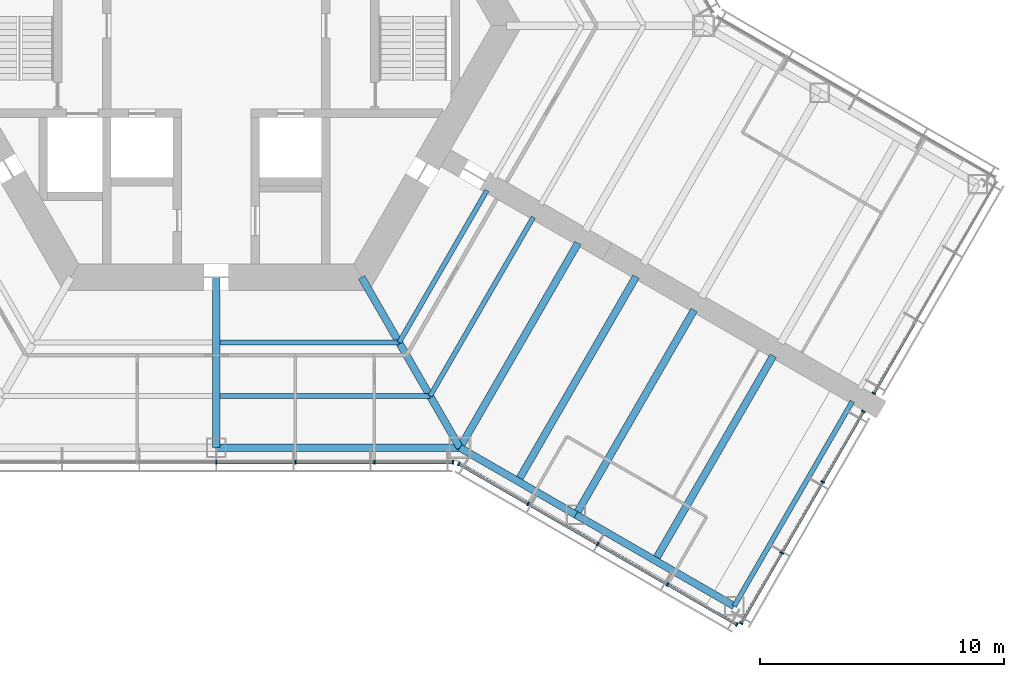
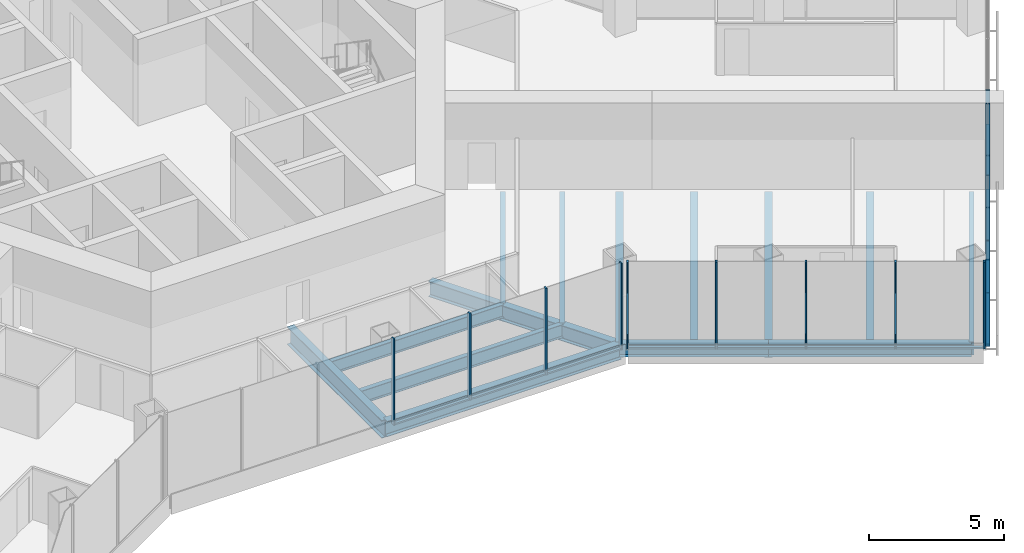
# One storey, part 5 of 18: 25 members, 14 beams, 4 elements without a shape of their own.
"""IFC4 building model written with IfcOpenShell, lengths in metres."""

import ifcopenshell
import ifcopenshell.guid

model = None  # the IFC model being written
_history = None  # IfcOwnerHistory: only IFC2X3 demands one
_inside = {}  # id of a spatial element -> (the spatial element, [elements in it])
_under = {}  # id of a project, library or spatial element -> (it, [spatial elements below it])
_declared = {}  # id of a project -> (the project, [libraries it declares])
_typed = {}  # id of a type object -> (the type object, [elements of that type])
_made_of = {}  # id of a material, layer set ... -> (it, [elements and type objects made of it])


def new_model(schema):
    """Start an empty IFC model of exactly this schema.

    Asked for "IFC4X3", IfcOpenShell would pick the latest addendum, in which some entities
    have other attributes; the version numbers below select the first issue.
    IFC2X3 requires an IfcOwnerHistory on every rooted entity: one is made here for all.
    """
    global model, _history
    if schema == "IFC4X3":
        model = ifcopenshell.file(schema_version=(4, 3, 0, 0))
    else:
        model = ifcopenshell.file(schema=schema)
    _inside.clear()
    _under.clear()
    _declared.clear()
    _typed.clear()
    _made_of.clear()
    _history = None
    if model.schema == "IFC2X3":
        org = make("IfcOrganization", Name="unknown")
        user = make(
            "IfcPersonAndOrganization",
            ThePerson=make("IfcPerson", FamilyName="unknown"),
            TheOrganization=org,
        )
        app = make(
            "IfcApplication",
            ApplicationDeveloper=org,
            Version="unknown",
            ApplicationFullName="unknown",
            ApplicationIdentifier="unknown",
        )
        _history = make(
            "IfcOwnerHistory",
            OwningUser=user,
            OwningApplication=app,
            ChangeAction="ADDED",
            CreationDate=0,
        )
    return model


def make(cls, **values):
    """One entity of the class cls with the attributes given. An attribute that is None is left unset."""
    return model.create_entity(
        cls, **{name: value for name, value in values.items() if value is not None}
    )


def rooted(cls, **values):
    """An entity with a GlobalId (a new one), such as an element, a storey or a relation."""
    return make(cls, GlobalId=ifcopenshell.guid.new(), OwnerHistory=_history, **values)


def si_unit(unit_type, name, prefix=None):
    """IfcSIUnit, for example si_unit("LENGTHUNIT", "METRE", prefix="MILLI")."""
    return make("IfcSIUnit", UnitType=unit_type, Prefix=prefix, Name=name)


def assignment(units):
    """IfcUnitAssignment: the units of a project."""
    return None if units is None else make("IfcUnitAssignment", Units=units)


def point(xyz):
    """IfcCartesianPoint."""
    return None if xyz is None else make("IfcCartesianPoint", Coordinates=xyz)


def direction(xyz):
    """IfcDirection."""
    return None if xyz is None else make("IfcDirection", DirectionRatios=xyz)


def frame(location, z_axis=None, x_axis=None):
    """IfcAxis2Placement3D, a coordinate frame: its origin and axes. An axis left out is left unset."""
    return make(
        "IfcAxis2Placement3D",
        Location=point(location),
        Axis=direction(z_axis),
        RefDirection=direction(x_axis),
    )


def frame_2d(location, x_axis=None):
    """IfcAxis2Placement2D, a coordinate frame in the plane: its origin and x axis."""
    return make(
        "IfcAxis2Placement2D", Location=point(location), RefDirection=direction(x_axis)
    )


def origin():
    """The frame at (0, 0, 0) with its axes left unset."""
    return frame((0.0, 0.0, 0.0))


def origin_2d():
    """The frame at (0, 0) in the plane with its x axis left unset."""
    return frame_2d((0.0, 0.0))


def place(relative_to, where):
    """IfcLocalPlacement: puts the frame where relative to a parent placement (None: the world)."""
    return make(
        "IfcLocalPlacement", PlacementRelTo=relative_to, RelativePlacement=where
    )


def context(
    kind, dimensions, precision=None, world=None, true_north=None, identifier=None
):
    """IfcGeometricRepresentationContext, for example the 3D "Model" context."""
    return make(
        "IfcGeometricRepresentationContext",
        ContextIdentifier=identifier,
        ContextType=kind,
        CoordinateSpaceDimension=dimensions,
        Precision=precision,
        WorldCoordinateSystem=world,
        TrueNorth=true_north,
    )


def subcontext(parent, identifier, kind, view, scale=None):
    """IfcGeometricRepresentationSubContext, for example "Body" below "Model"."""
    return make(
        "IfcGeometricRepresentationSubContext",
        ContextIdentifier=identifier,
        ContextType=kind,
        ParentContext=parent,
        TargetScale=scale,
        TargetView=view,
    )


def project(units=None, contexts=None):
    """IfcProject with its units and contexts."""
    return rooted(
        "IfcProject",
        Name="project",
        RepresentationContexts=contexts,
        UnitsInContext=assignment(units),
    )


def spatial(cls, under=None, at=None, **own):
    """A site, building, storey or space (cls), placed at a placement, below another one or the project."""
    s = rooted(cls, ObjectPlacement=at, **own)
    if under is not None:
        _under.setdefault(under.id(), (under, []))[1].append(s)
    return s


def profile(cls, at=None, kind="AREA", **sizes):
    """A parametric profile (cls). Its sizes go by their IFC names, for example OverallWidth=200.0."""
    return make(cls, ProfileType=kind, Position=at, **sizes)


def rectangle(**sizes):
    """IfcRectangleProfileDef."""
    return profile("IfcRectangleProfileDef", **sizes)


def i_section(**sizes):
    """IfcIShapeProfileDef."""
    return profile("IfcIShapeProfileDef", **sizes)


def extrude(swept, where, along, depth):
    """IfcExtrudedAreaSolid: the profile swept, set in the frame where, extruded along a direction by depth."""
    return make(
        "IfcExtrudedAreaSolid",
        SweptArea=swept,
        Position=where,
        ExtrudedDirection=direction(along),
        Depth=depth,
    )


def shape(context_of_items, identifier, shape_type, items):
    """IfcShapeRepresentation: the items that make up one representation, for example the "Body"."""
    return make(
        "IfcShapeRepresentation",
        ContextOfItems=context_of_items,
        RepresentationIdentifier=identifier,
        RepresentationType=shape_type,
        Items=items,
    )


def material(Name=None, Category=None):
    """IfcMaterial."""
    return make("IfcMaterial", Name=Name, Category=Category)


def material_profile(
    of_material, cross_section, Name=None, Category=None, Priority=None
):
    """IfcMaterialProfile: a cross section and its material."""
    return make(
        "IfcMaterialProfile",
        Name=Name,
        Material=of_material,
        Profile=cross_section,
        Priority=Priority,
        Category=Category,
    )


def profile_set(profiles, Name=None, composite=None):
    """IfcMaterialProfileSet."""
    return make(
        "IfcMaterialProfileSet",
        Name=Name,
        MaterialProfiles=profiles,
        CompositeProfile=composite,
    )


def made_of(thing, what):
    """Note that an element or type object is made of a material, layer set ...; save() writes the relation."""
    if what is not None:
        _made_of.setdefault(what.id(), (what, []))[1].append(thing)
    return thing


def type_object(cls, material=None, **own):
    """A type object (cls), such as IfcWallType, which elements share."""
    return made_of(rooted(cls, **own), material)


def element(
    cls,
    number,
    at=None,
    inside=None,
    cuts=None,
    type_object=None,
    material=None,
    context=None,
    identifier="Body",
    shape_type=None,
    held_by="IfcProductDefinitionShape",
    body=None,
    shapes=None,
    **own,
):
    """One element of the class cls, such as IfcWall. Its Tag is "e" and its number.

    at: its placement. inside: the storey or other place that contains it. cuts: it is an
    opening in that element (IfcRelVoidsElement). A single representation is given by context,
    identifier, shape_type and body (its items); several are given by shapes. held_by: the class
    of the entity that holds the representations. save() writes the other relations.
    """
    e = rooted(cls, Tag="e%d" % number, ObjectPlacement=at, **own)
    if body is not None:
        shapes = [shape(context, identifier, shape_type, body)]
    if shapes is not None:
        e.Representation = make(held_by, Representations=shapes)
    if inside is not None:
        _inside.setdefault(inside.id(), (inside, []))[1].append(e)
    if cuts is not None:
        rooted(
            "IfcRelVoidsElement", RelatingBuildingElement=cuts, RelatedOpeningElement=e
        )
    if type_object is not None:
        _typed.setdefault(type_object.id(), (type_object, []))[1].append(e)
    return made_of(e, material)


def aggregate(whole, parts):
    """IfcRelAggregates: a whole, such as a stair, and the parts it consists of."""
    return rooted("IfcRelAggregates", RelatingObject=whole, RelatedObjects=parts)


def save(model, path):
    """Write the relations noted so far, then the file.

    IfcRelAggregates (storeys below a building ...), IfcRelContainedInSpatialStructure (elements
    in a storey), IfcRelDefinesByType, IfcRelAssociatesMaterial and IfcRelDeclares: one each for
    every whole, place, type object, material and project.
    """
    for whole, parts in _under.values():
        aggregate(whole, parts)
    for where, things in _inside.values():
        rooted(
            "IfcRelContainedInSpatialStructure",
            RelatedElements=things,
            RelatingStructure=where,
        )
    for kind, things in _typed.values():
        rooted("IfcRelDefinesByType", RelatedObjects=things, RelatingType=kind)
    for what, things in _made_of.values():
        rooted("IfcRelAssociatesMaterial", RelatedObjects=things, RelatingMaterial=what)
    for by, libraries in _declared.values():
        rooted("IfcRelDeclares", RelatingContext=by, RelatedDefinitions=libraries)
    model.write(path)


model = new_model("IFC4")

# Units and contexts
model_context = context("Model", 3, precision=1e-05, world=origin(), true_north=direction((0.0, 1.0)))
body_context = subcontext(model_context, "Body", "Model", "MODEL_VIEW")
ifc_project = project(units=[si_unit("LENGTHUNIT", "METRE"), si_unit("AREAUNIT", "SQUARE_METRE"), si_unit("VOLUMEUNIT", "CUBIC_METRE"), si_unit("PLANEANGLEUNIT", "RADIAN"), si_unit("MASSUNIT", "GRAM", prefix="KILO")], contexts=[model_context])

# Site, building, storey
site_placement = place(None, origin())
site = spatial("IfcSite", under=ifc_project, at=site_placement, CompositionType="ELEMENT")
building_placement = place(site_placement, origin())
building = spatial("IfcBuilding", under=site, at=building_placement, Name="Kasaneha Research Tower", CompositionType="ELEMENT")
storey_placement = place(building_placement, frame((0.0, 0.0, 119.699951171875)))
storey = spatial("IfcBuildingStorey", under=building, at=storey_placement, Name="L30", CompositionType="ELEMENT", Elevation=119.699951171875)

# Beams
ifc_material_1 = material(Name="Steel SN490B", Category="steel")
ifc_material_profile_1 = material_profile(ifc_material_1, i_section(OverallWidth=0.199951171875, OverallDepth=0.60009765625, WebThickness=0.010986328125, FlangeThickness=0.01708984375, FilletRadius=0.012939453125, at=origin_2d()), Name="H-600x200x11x17")
ifc_profile_set_1 = profile_set([ifc_material_profile_1], Name="Steel SN490B")
beam_type_1 = type_object("IfcBeamType", Name="B1-3 secondary beam H-600x200x11x17", PredefinedType="JOIST", material=ifc_profile_set_1)
beam_1_placement = place(storey_placement, frame((7.505615234375, -13.0, -0.449951171875), z_axis=(-1.0, 0.0, 0.0), x_axis=(0.0, -1.0, 0.0)))
element("IfcBeam", 1, at=beam_1_placement, inside=storey, type_object=beam_type_1, Name="Secondary beam RS270R1 L30", PredefinedType="JOIST", context=body_context, shape_type="SweptSolid", body=[
    extrude(i_section(OverallWidth=0.199951171875, OverallDepth=0.60009765625, WebThickness=0.010986328125, FlangeThickness=0.01708984375, FilletRadius=0.012939453125, at=origin_2d()), origin(), (0.0, 0.0, 1.0), 7.355712890625),
])
beam_2_placement = place(storey_placement, frame((8.775634765625, -15.199951171875, -0.449951171875), z_axis=(-1.0, 0.0, 0.0), x_axis=(0.0, -1.0, 0.0)))
element("IfcBeam", 2, at=beam_2_placement, inside=storey, type_object=beam_type_1, Name="Secondary beam RS270R2 L30", PredefinedType="JOIST", context=body_context, shape_type="SweptSolid", body=[
    extrude(i_section(OverallWidth=0.199951171875, OverallDepth=0.60009765625, WebThickness=0.010986328125, FlangeThickness=0.01708984375, FilletRadius=0.012939453125, at=origin_2d()), origin(), (0.0, 0.0, 1.0), 8.625732421875),
])
beam_3_placement = place(storey_placement, frame((7.505615234375, -13.0, -0.449951171875), z_axis=(0.499998147991, 0.86602647304, 0.0), x_axis=(-0.86602647304, 0.499998147991, 0.0)))
element("IfcBeam", 3, at=beam_3_placement, inside=storey, type_object=beam_type_1, Name="Secondary beam RS330L1 L30", PredefinedType="JOIST", context=body_context, shape_type="SweptSolid", body=[
    extrude(i_section(OverallWidth=0.199951171875, OverallDepth=0.60009765625, WebThickness=0.010986328125, FlangeThickness=0.01708984375, FilletRadius=0.012939453125, at=origin_2d()), origin(), (0.0, 0.0, 1.0), 7.20556640625),
])
beam_4_placement = place(storey_placement, frame((8.775634765625, -15.199951171875, -0.449951171875), z_axis=(0.500020829043, 0.866013377797, 0.0), x_axis=(-0.866013377797, 0.500020829043, 0.0)))
element("IfcBeam", 4, at=beam_4_placement, inside=storey, type_object=beam_type_1, Name="Secondary beam RS330L2 L30", PredefinedType="JOIST", context=body_context, shape_type="SweptSolid", body=[
    extrude(i_section(OverallWidth=0.199951171875, OverallDepth=0.60009765625, WebThickness=0.010986328125, FlangeThickness=0.01708984375, FilletRadius=0.012939453125, at=origin_2d()), origin(), (0.0, 0.0, 1.0), 8.475830078125),
])
ifc_material_2 = material(Name="Steel SN490B", Category="steel")
ifc_material_profile_2 = material_profile(ifc_material_2, i_section(OverallWidth=0.300048828125, OverallDepth=0.58203125, WebThickness=0.011962890625, FlangeThickness=0.01708984375, FilletRadius=0.012939453125, at=origin_2d()), Name="H-582x300x12x17")
ifc_profile_set_2 = profile_set([ifc_material_profile_2], Name="Steel SN490B")
beam_type_2 = type_object("IfcBeamType", Name="B2-3 secondary beam H-582x300x12x17", PredefinedType="JOIST", material=ifc_profile_set_2)
for number, where, z_axis, x_axis, name in (
    (5, (12.381591796875, -18.695556640625, -0.44091796875), (0.500010041276, 0.866019606374, 0.0), (-0.866019606374, 0.500010041276, 0.0), "Secondary beam WBCP1 L30"),
    (6, (18.0107421875, -21.945556640625, -0.44091796875), (0.500010041276, 0.866019606374, 0.0), (-0.866019606374, 0.500010041276, 0.0), "Secondary beam WBCP2 L30"),
):
    element("IfcBeam", number, at=place(storey_placement, frame(where, z_axis=z_axis, x_axis=x_axis)), inside=storey, type_object=beam_type_2, Name=name, PredefinedType="JOIST", context=body_context, shape_type="SweptSolid", body=[
        extrude(i_section(OverallWidth=0.300048828125, OverallDepth=0.58203125, WebThickness=0.011962890625, FlangeThickness=0.01708984375, FilletRadius=0.012939453125, at=origin_2d()), origin(), (0.0, 0.0, 1.0), 9.699951171875),
    ])

# Curtain wall, members
ifc_material_3 = material(Name="Glass and aluminium", Category="aluminium")
curtain_wall_type = type_object("IfcCurtainWallType", Name="Low-rise office curtain wall", PredefinedType="USERDEFINED", material=ifc_material_3)
curtain_wall_1_placement = place(storey_placement, origin())
curtain_wall_1 = element("IfcCurtainWall", 7, at=curtain_wall_1_placement, inside=storey, type_object=curtain_wall_type, Name="CW-O1 L30 run 02a", ObjectType="UNITISED CURTAIN WALL", PredefinedType="USERDEFINED")
ifc_material_4 = material(Name="Aluminium 6063-T6", Category="aluminium")
ifc_material_profile_3 = material_profile(ifc_material_4, rectangle(XDim=0.06005859375, YDim=0.159912109375, at=origin_2d()), Name="CW-O1 mullion 60x160")
ifc_profile_set_3 = profile_set([ifc_material_profile_3], Name="Aluminium 6063-T6")
member_type_1 = type_object("IfcMemberType", Name="CW-O1 mullion", PredefinedType="MULLION", material=ifc_profile_set_3)
member_1_placement = place(storey_placement, frame((0.0, -17.92041015625, 0.0), z_axis=(0.0, 0.0, 1.0), x_axis=(1.0, 0.0, 0.0)))
member_1 = element("IfcMember", 8, at=member_1_placement, type_object=member_type_1, Name="CW-O1 mullion 4", PredefinedType="MULLION", context=body_context, shape_type="SweptSolid", body=[
    extrude(rectangle(XDim=0.06005859375, YDim=0.159912109375, at=origin_2d()), origin(), (0.0, 0.0, 1.0), 3.900146484375),
])
member_2_placement = place(storey_placement, frame((3.246337890625, -17.92041015625, 0.0), z_axis=(0.0, 0.0, 1.0), x_axis=(1.0, 0.0, 0.0)))
member_2 = element("IfcMember", 9, at=member_2_placement, type_object=member_type_1, Name="CW-O1 mullion 5", PredefinedType="MULLION", context=body_context, shape_type="SweptSolid", body=[
    extrude(rectangle(XDim=0.06005859375, YDim=0.159912109375, at=origin_2d()), origin(), (0.0, 0.0, 1.0), 3.900146484375),
])
member_3_placement = place(storey_placement, frame((6.492919921875, -17.92041015625, 0.0), z_axis=(0.0, 0.0, 1.0), x_axis=(1.0, 0.0, 0.0)))
member_3 = element("IfcMember", 10, at=member_3_placement, type_object=member_type_1, Name="CW-O1 mullion 6", PredefinedType="MULLION", context=body_context, shape_type="SweptSolid", body=[
    extrude(rectangle(XDim=0.06005859375, YDim=0.159912109375, at=origin_2d()), origin(), (0.0, 0.0, 1.0), 3.900146484375),
])
member_4_placement = place(storey_placement, frame((9.709228515625, -17.92041015625, 0.0), z_axis=(0.0, 0.0, 1.0), x_axis=(1.0, 0.0, 0.0)))
member_4 = element("IfcMember", 11, at=member_4_placement, type_object=member_type_1, Name="CW-O1 mullion 7", PredefinedType="MULLION", context=body_context, shape_type="SweptSolid", body=[
    extrude(rectangle(XDim=0.06005859375, YDim=0.159912109375, at=origin_2d()), origin(), (0.0, 0.0, 1.0), 3.900146484375),
])

curtain_wall_2_placement = place(storey_placement, origin())
curtain_wall_2 = element("IfcCurtainWall", 12, at=curtain_wall_2_placement, inside=storey, type_object=curtain_wall_type, Name="CW-O1 L30 run 03a", ObjectType="UNITISED CURTAIN WALL", PredefinedType="USERDEFINED")
member_5_placement = place(storey_placement, frame((9.951904296875, -17.985595703125, 0.0), z_axis=(0.0, 0.0, 1.0), x_axis=(0.866025411464, -0.499999986699, 0.0)))
member_5 = element("IfcMember", 13, at=member_5_placement, type_object=member_type_1, Name="CW-O1 mullion 1", PredefinedType="MULLION", context=body_context, shape_type="SweptSolid", body=[
    extrude(rectangle(XDim=0.06005859375, YDim=0.159912109375, at=origin_2d()), origin(), (0.0, 0.0, 1.0), 3.900146484375),
])
member_6_placement = place(storey_placement, frame((12.792236328125, -19.62548828125, 0.0), z_axis=(0.0, 0.0, 1.0), x_axis=(0.866025411464, -0.499999986699, 0.0)))
member_6 = element("IfcMember", 14, at=member_6_placement, type_object=member_type_1, Name="CW-O1 mullion 2", PredefinedType="MULLION", context=body_context, shape_type="SweptSolid", body=[
    extrude(rectangle(XDim=0.06005859375, YDim=0.159912109375, at=origin_2d()), origin(), (0.0, 0.0, 1.0), 3.900146484375),
])
member_7_placement = place(storey_placement, frame((15.65869140625, -21.2802734375, 0.0), z_axis=(0.0, 0.0, 1.0), x_axis=(0.866025411464, -0.499999986699, 0.0)))
member_7 = element("IfcMember", 15, at=member_7_placement, type_object=member_type_1, Name="CW-O1 mullion 3", PredefinedType="MULLION", context=body_context, shape_type="SweptSolid", body=[
    extrude(rectangle(XDim=0.06005859375, YDim=0.159912109375, at=origin_2d()), origin(), (0.0, 0.0, 1.0), 3.900146484375),
])
member_8_placement = place(storey_placement, frame((18.52490234375, -22.935302734375, 0.0), z_axis=(0.0, 0.0, 1.0), x_axis=(0.866025411464, -0.499999986699, 0.0)))
member_8 = element("IfcMember", 16, at=member_8_placement, type_object=member_type_1, Name="CW-O1 mullion 4", PredefinedType="MULLION", context=body_context, shape_type="SweptSolid", body=[
    extrude(rectangle(XDim=0.06005859375, YDim=0.159912109375, at=origin_2d()), origin(), (0.0, 0.0, 1.0), 3.900146484375),
])
member_9_placement = place(storey_placement, frame((21.365478515625, -24.5751953125, 0.0), z_axis=(0.0, 0.0, 1.0), x_axis=(0.866025411464, -0.499999986699, 0.0)))
member_9 = element("IfcMember", 17, at=member_9_placement, type_object=member_type_1, Name="CW-O1 mullion 5", PredefinedType="MULLION", context=body_context, shape_type="SweptSolid", body=[
    extrude(rectangle(XDim=0.06005859375, YDim=0.159912109375, at=origin_2d()), origin(), (0.0, 0.0, 1.0), 3.900146484375),
])

curtain_wall_3_placement = place(storey_placement, origin())
curtain_wall_3 = element("IfcCurtainWall", 18, at=curtain_wall_3_placement, inside=storey, type_object=curtain_wall_type, Name="CW-O1 L30 run 04a", ObjectType="UNITISED CURTAIN WALL", PredefinedType="USERDEFINED")
member_10_placement = place(storey_placement, frame((21.54296875, -24.527587890625, 0.0), z_axis=(0.0, 0.0, 1.0), x_axis=(0.500000011442, 0.866025397178, 0.0)))
member_10 = element("IfcMember", 19, at=member_10_placement, type_object=member_type_1, Name="CW-O1 mullion 1", PredefinedType="MULLION", context=body_context, shape_type="SweptSolid", body=[
    extrude(rectangle(XDim=0.06005859375, YDim=0.159912109375, at=origin_2d()), origin(), (0.0, 0.0, 1.0), 3.900146484375),
])
member_11_placement = place(storey_placement, frame((23.211181640625, -21.637939453125, 0.0), z_axis=(0.0, 0.0, 1.0), x_axis=(0.500000011442, 0.866025397178, 0.0)))
member_11 = element("IfcMember", 20, at=member_11_placement, type_object=member_type_1, Name="CW-O1 mullion 2", PredefinedType="MULLION", context=body_context, shape_type="SweptSolid", body=[
    extrude(rectangle(XDim=0.06005859375, YDim=0.159912109375, at=origin_2d()), origin(), (0.0, 0.0, 1.0), 3.900146484375),
])
member_12_placement = place(storey_placement, frame((24.89453125, -18.72216796875, 0.0), z_axis=(0.0, 0.0, 1.0), x_axis=(0.500000011442, 0.866025397178, 0.0)))
member_12 = element("IfcMember", 21, at=member_12_placement, type_object=member_type_1, Name="CW-O1 mullion 3", PredefinedType="MULLION", context=body_context, shape_type="SweptSolid", body=[
    extrude(rectangle(XDim=0.06005859375, YDim=0.159912109375, at=origin_2d()), origin(), (0.0, 0.0, 1.0), 3.900146484375),
])
member_13_placement = place(storey_placement, frame((26.56298828125, -15.832763671875, 0.0), z_axis=(0.0, 0.0, 1.0), x_axis=(0.500000011442, 0.866025397178, 0.0)))
member_13 = element("IfcMember", 22, at=member_13_placement, type_object=member_type_1, Name="CW-O1 mullion 4", PredefinedType="MULLION", context=body_context, shape_type="SweptSolid", body=[
    extrude(rectangle(XDim=0.06005859375, YDim=0.159912109375, at=origin_2d()), origin(), (0.0, 0.0, 1.0), 3.900146484375),
])

# Curtain wall, member
curtain_wall_4_placement = place(storey_placement, origin())
curtain_wall_4 = element("IfcCurtainWall", 23, at=curtain_wall_4_placement, inside=storey, type_object=curtain_wall_type, Name="CW-O1 L30 run 05a", ObjectType="UNITISED CURTAIN WALL", PredefinedType="USERDEFINED")
member_14_placement = place(storey_placement, frame((26.992919921875, -15.087890625, 0.0), z_axis=(0.0, 0.0, 1.0), x_axis=(0.500000011442, 0.866025397178, 0.0)))
member_14 = element("IfcMember", 24, at=member_14_placement, type_object=member_type_1, Name="CW-O1 mullion 1", PredefinedType="MULLION", context=body_context, shape_type="SweptSolid", body=[
    extrude(rectangle(XDim=0.06005859375, YDim=0.159912109375, at=origin_2d()), origin(), (0.0, 0.0, 1.0), 3.900146484375),
])

# Member
ifc_material_5 = material(Name="Aluminium 6063-T6", Category="aluminium")
ifc_material_profile_4 = material_profile(ifc_material_5, rectangle(XDim=0.1201171875, YDim=0.06005859375, at=origin_2d()), Name="CW-O1 transom 120x60")
ifc_profile_set_4 = profile_set([ifc_material_profile_4], Name="Aluminium 6063-T6")
member_type_2 = type_object("IfcMemberType", Name="CW-O1 transom", PredefinedType="USERDEFINED", material=ifc_profile_set_4)
member_15_placement = place(storey_placement, frame((0.030029296875, -17.92041015625, 0.030029296875), z_axis=(1.0, 0.0, 0.0), x_axis=(0.0, 1.0, 0.0)))
member_15 = element("IfcMember", 25, at=member_15_placement, type_object=member_type_2, Name="CW-O1 transom 4", ObjectType="TRANSOM", PredefinedType="USERDEFINED", context=body_context, shape_type="SweptSolid", body=[
    extrude(rectangle(XDim=0.1201171875, YDim=0.06005859375, at=origin_2d()), origin(), (0.0, 0.0, 1.0), 3.186279296875),
])

member_16_placement = place(storey_placement, frame((3.2763671875, -17.92041015625, 0.030029296875), z_axis=(1.0, 0.0, 0.0), x_axis=(0.0, 1.0, 0.0)))
member_16 = element("IfcMember", 26, at=member_16_placement, type_object=member_type_2, Name="CW-O1 transom 5", ObjectType="TRANSOM", PredefinedType="USERDEFINED", context=body_context, shape_type="SweptSolid", body=[
    extrude(rectangle(XDim=0.1201171875, YDim=0.06005859375, at=origin_2d()), origin(), (0.0, 0.0, 1.0), 3.1865234375),
])

member_17_placement = place(storey_placement, frame((6.522705078125, -17.92041015625, 0.030029296875), z_axis=(1.0, 0.0, 0.0), x_axis=(0.0, 1.0, 0.0)))
member_17 = element("IfcMember", 27, at=member_17_placement, type_object=member_type_2, Name="CW-O1 transom 6", ObjectType="TRANSOM", PredefinedType="USERDEFINED", context=body_context, shape_type="SweptSolid", body=[
    extrude(rectangle(XDim=0.1201171875, YDim=0.06005859375, at=origin_2d()), origin(), (0.0, 0.0, 1.0), 3.156494140625),
])

aggregate(curtain_wall_1, [member_1, member_2, member_3, member_4, member_15, member_16, member_17])

member_18_placement = place(storey_placement, frame((9.977783203125, -18.00048828125, 0.030029296875), z_axis=(0.866022692473, -0.500004696101, 0.0), x_axis=(0.500004696101, 0.866022692473, 0.0)))
member_18 = element("IfcMember", 28, at=member_18_placement, type_object=member_type_2, Name="CW-O1 transom 1", ObjectType="TRANSOM", PredefinedType="USERDEFINED", context=body_context, shape_type="SweptSolid", body=[
    extrude(rectangle(XDim=0.1201171875, YDim=0.06005859375, at=origin_2d()), origin(), (0.0, 0.0, 1.0), 3.2197265625),
])

member_19_placement = place(storey_placement, frame((12.818115234375, -19.640380859375, 0.030029296875), z_axis=(0.866015446554, -0.500017246033, 0.0), x_axis=(0.500017246033, 0.866015446554, 0.0)))
member_19 = element("IfcMember", 29, at=member_19_placement, type_object=member_type_2, Name="CW-O1 transom 2", ObjectType="TRANSOM", PredefinedType="USERDEFINED", context=body_context, shape_type="SweptSolid", body=[
    extrude(rectangle(XDim=0.1201171875, YDim=0.06005859375, at=origin_2d()), origin(), (0.0, 0.0, 1.0), 3.25),
])

member_20_placement = place(storey_placement, frame((15.6845703125, -21.29541015625, 0.030029296875), z_axis=(0.86604797581, -0.499960902066, 0.0), x_axis=(0.499960902066, 0.86604797581, 0.0)))
member_20 = element("IfcMember", 30, at=member_20_placement, type_object=member_type_2, Name="CW-O1 transom 3", ObjectType="TRANSOM", PredefinedType="USERDEFINED", context=body_context, shape_type="SweptSolid", body=[
    extrude(rectangle(XDim=0.1201171875, YDim=0.06005859375, at=origin_2d()), origin(), (0.0, 0.0, 1.0), 3.249755859375),
])

member_21_placement = place(storey_placement, frame((18.551025390625, -22.9501953125, 0.030029296875), z_axis=(0.866022692473, -0.500004696101, 0.0), x_axis=(0.500004696101, 0.866022692473, 0.0)))
member_21 = element("IfcMember", 31, at=member_21_placement, type_object=member_type_2, Name="CW-O1 transom 4", ObjectType="TRANSOM", PredefinedType="USERDEFINED", context=body_context, shape_type="SweptSolid", body=[
    extrude(rectangle(XDim=0.1201171875, YDim=0.06005859375, at=origin_2d()), origin(), (0.0, 0.0, 1.0), 3.2197265625),
])

aggregate(curtain_wall_2, [member_5, member_6, member_7, member_8, member_9, member_18, member_19, member_20, member_21])

member_22_placement = place(storey_placement, frame((21.557861328125, -24.50146484375, 0.030029296875), z_axis=(0.500025583411, 0.866010632691, 0.0), x_axis=(-0.866010632691, 0.500025583411, 0.0)))
member_22 = element("IfcMember", 32, at=member_22_placement, type_object=member_type_2, Name="CW-O1 transom 1", ObjectType="TRANSOM", PredefinedType="USERDEFINED", context=body_context, shape_type="SweptSolid", body=[
    extrude(rectangle(XDim=0.1201171875, YDim=0.06005859375, at=origin_2d()), origin(), (0.0, 0.0, 1.0), 3.276611328125),
])

member_23_placement = place(storey_placement, frame((23.226318359375, -21.61181640625, 0.030029296875), z_axis=(0.500014325468, 0.866017132814, 0.0), x_axis=(-0.866017132814, 0.500014325468, 0.0)))
member_23 = element("IfcMember", 33, at=member_23_placement, type_object=member_type_2, Name="CW-O1 transom 2", ObjectType="TRANSOM", PredefinedType="USERDEFINED", context=body_context, shape_type="SweptSolid", body=[
    extrude(rectangle(XDim=0.1201171875, YDim=0.06005859375, at=origin_2d()), origin(), (0.0, 0.0, 1.0), 3.306640625),
])

member_24_placement = place(storey_placement, frame((24.90966796875, -18.6962890625, 0.030029296875), z_axis=(0.499969700927, 0.866042896256, 0.0), x_axis=(-0.866042896256, 0.499969700927, 0.0)))
member_24 = element("IfcMember", 34, at=member_24_placement, type_object=member_type_2, Name="CW-O1 transom 3", ObjectType="TRANSOM", PredefinedType="USERDEFINED", context=body_context, shape_type="SweptSolid", body=[
    extrude(rectangle(XDim=0.1201171875, YDim=0.06005859375, at=origin_2d()), origin(), (0.0, 0.0, 1.0), 3.276611328125),
])

aggregate(curtain_wall_3, [member_10, member_11, member_12, member_13, member_22, member_23, member_24])

member_25_placement = place(storey_placement, frame((27.008056640625, -15.061767578125, 0.030029296875), z_axis=(0.499969700927, 0.866042896256, 0.0), x_axis=(-0.866042896256, 0.499969700927, 0.0)))
member_25 = element("IfcMember", 35, at=member_25_placement, type_object=member_type_2, Name="CW-O1 transom 1", ObjectType="TRANSOM", PredefinedType="USERDEFINED", context=body_context, shape_type="SweptSolid", body=[
    extrude(rectangle(XDim=0.1201171875, YDim=0.06005859375, at=origin_2d()), origin(), (0.0, 0.0, 1.0), 3.276611328125),
])

aggregate(curtain_wall_4, [member_14, member_25])

# Beams
ifc_material_6 = material(Name="Steel SN490B", Category="steel")
ifc_material_profile_5 = material_profile(ifc_material_6, i_section(OverallWidth=0.300048828125, OverallDepth=0.699951171875, WebThickness=0.012939453125, FlangeThickness=0.02392578125, FilletRadius=0.01806640625, at=origin_2d()), Name="H-700x300x13x24")
ifc_profile_set_5 = profile_set([ifc_material_profile_5], Name="Steel SN490B")
beam_type_3 = type_object("IfcBeamType", Name="G1-3 radial girder H-700x300x13x24", PredefinedType="BEAM", material=ifc_profile_set_5)
beam_5_placement = place(storey_placement, frame((5.961181640625, -10.324951171875, -0.5), z_axis=(0.49999105496, -0.866030568144, 0.0), x_axis=(0.866030568144, 0.49999105496, 0.0)))
element("IfcBeam", 36, at=beam_5_placement, inside=storey, type_object=beam_type_3, Name="Radial girder RV300 L30", PredefinedType="BEAM", context=body_context, shape_type="SweptSolid", body=[
    extrude(i_section(OverallWidth=0.300048828125, OverallDepth=0.699951171875, WebThickness=0.012939453125, FlangeThickness=0.02392578125, FilletRadius=0.01806640625, at=origin_2d()), origin(), (0.0, 0.0, 1.0), 8.077880859375),
])
ifc_material_7 = material(Name="Steel SN490B", Category="steel")
ifc_material_profile_6 = material_profile(ifc_material_7, i_section(OverallWidth=0.300048828125, OverallDepth=0.800048828125, WebThickness=0.013916015625, FlangeThickness=0.02587890625, FilletRadius=0.01806640625, at=origin_2d()), Name="H-800x300x14x26")
ifc_profile_set_6 = profile_set([ifc_material_profile_6], Name="Steel SN490B")
beam_type_4 = type_object("IfcBeamType", Name="G2-3 radial girder H-800x300x14x26", PredefinedType="BEAM", material=ifc_profile_set_6)
beam_6_placement = place(storey_placement, frame((0.0, -10.324951171875, -0.550048828125), z_axis=(0.0, -1.0, 0.0), x_axis=(1.0, 0.0, 0.0)))
element("IfcBeam", 37, at=beam_6_placement, inside=storey, type_object=beam_type_4, Name="Radial girder RM270 L30", PredefinedType="BEAM", context=body_context, shape_type="SweptSolid", body=[
    extrude(i_section(OverallWidth=0.300048828125, OverallDepth=0.800048828125, WebThickness=0.013916015625, FlangeThickness=0.02587890625, FilletRadius=0.01806640625, at=origin_2d()), origin(), (0.0, 0.0, 1.0), 6.99560546875),
])
ifc_material_8 = material(Name="Steel SN490B", Category="steel")
ifc_material_profile_7 = material_profile(ifc_material_8, i_section(OverallWidth=0.300048828125, OverallDepth=0.69189453125, WebThickness=0.012939453125, FlangeThickness=0.02001953125, FilletRadius=0.01806640625, at=origin_2d()), Name="H-692x300x13x20")
ifc_profile_set_7 = profile_set([ifc_material_profile_7], Name="Steel SN490B")
beam_type_5 = type_object("IfcBeamType", Name="G3-3 plate edge girder H-692x300x13x20", PredefinedType="BEAM", material=ifc_profile_set_7)
beam_7_placement = place(storey_placement, frame((10.0, -17.320556640625, -0.495849609375), z_axis=(0.500010041276, 0.866019606374, 0.0), x_axis=(-0.866019606374, 0.500010041276, 0.0)))
element("IfcBeam", 38, at=beam_7_placement, inside=storey, type_object=beam_type_5, Name="Plate edge girder PECP L30", PredefinedType="BEAM", context=body_context, shape_type="SweptSolid", body=[
    extrude(i_section(OverallWidth=0.300048828125, OverallDepth=0.69189453125, WebThickness=0.012939453125, FlangeThickness=0.02001953125, FilletRadius=0.01806640625, at=origin_2d()), origin(), (0.0, 0.0, 1.0), 9.699951171875),
])
ifc_material_9 = material(Name="Steel SN490B", Category="steel")
ifc_material_profile_8 = material_profile(ifc_material_9, i_section(OverallWidth=0.300048828125, OverallDepth=0.699951171875, WebThickness=0.012939453125, FlangeThickness=0.02392578125, FilletRadius=0.01806640625, at=origin_2d()), Name="H-700x300x13x24")
ifc_profile_set_8 = profile_set([ifc_material_profile_8], Name="Steel SN490B")
beam_type_6 = type_object("IfcBeamType", Name="G4-3 wing girder H-700x300x13x24", PredefinedType="BEAM", material=ifc_profile_set_8)
beam_8_placement = place(storey_placement, frame((14.76318359375, -20.070556640625, -0.5), z_axis=(0.499991164321, 0.866030505006, 0.0), x_axis=(-0.866030505006, 0.499991164321, 0.0)))
element("IfcBeam", 39, at=beam_8_placement, inside=storey, type_object=beam_type_6, Name="Wing girder WGCP L30", PredefinedType="BEAM", context=body_context, shape_type="SweptSolid", body=[
    extrude(i_section(OverallWidth=0.300048828125, OverallDepth=0.699951171875, WebThickness=0.012939453125, FlangeThickness=0.02392578125, FilletRadius=0.01806640625, at=origin_2d()), origin(), (0.0, 0.0, 1.0), 9.699951171875),
])
ifc_material_10 = material(Name="Steel SN490B", Category="steel")
ifc_material_profile_9 = material_profile(ifc_material_10, i_section(OverallWidth=0.300048828125, OverallDepth=0.69189453125, WebThickness=0.012939453125, FlangeThickness=0.02001953125, FilletRadius=0.01806640625, at=origin_2d()), Name="H-692x300x13x20")
ifc_profile_set_9 = profile_set([ifc_material_profile_9], Name="Steel SN490B")
beam_type_7 = type_object("IfcBeamType", Name="SB1-3 spandrel beam H-692x300x13x20", PredefinedType="SPANDREL", material=ifc_profile_set_9)
beam_9_placement = place(storey_placement, frame((10.0, -17.320556640625, -0.495849609375), z_axis=(-1.0, 0.0, 0.0), x_axis=(0.0, -1.0, 0.0)))
element("IfcBeam", 40, at=beam_9_placement, inside=storey, type_object=beam_type_7, Name="Spandrel beam SR270R L30", PredefinedType="SPANDREL", context=body_context, shape_type="SweptSolid", body=[
    extrude(i_section(OverallWidth=0.300048828125, OverallDepth=0.69189453125, WebThickness=0.012939453125, FlangeThickness=0.02001953125, FilletRadius=0.01806640625, at=origin_2d()), origin(), (0.0, 0.0, 1.0), 10.0),
])
ifc_material_11 = material(Name="Steel SN490B", Category="steel")
ifc_material_profile_10 = material_profile(ifc_material_11, i_section(OverallWidth=0.300048828125, OverallDepth=0.58203125, WebThickness=0.011962890625, FlangeThickness=0.01708984375, FilletRadius=0.012939453125, at=origin_2d()), Name="H-582x300x12x17")
ifc_profile_set_10 = profile_set([ifc_material_profile_10], Name="Steel SN490B")
beam_type_8 = type_object("IfcBeamType", Name="SB2-3 spandrel beam H-582x300x12x17", PredefinedType="SPANDREL", material=ifc_profile_set_10)
beam_10_placement = place(storey_placement, frame((10.0, -17.320556640625, -0.44091796875), z_axis=(0.866027397988, -0.499996545922, 0.0), x_axis=(0.499996545922, 0.866027397988, 0.0)))
element("IfcBeam", 41, at=beam_10_placement, inside=storey, type_object=beam_type_8, Name="Spandrel beam WSCP1 L30", PredefinedType="SPANDREL", context=body_context, shape_type="SweptSolid", body=[
    extrude(i_section(OverallWidth=0.300048828125, OverallDepth=0.58203125, WebThickness=0.011962890625, FlangeThickness=0.01708984375, FilletRadius=0.012939453125, at=origin_2d()), origin(), (0.0, 0.0, 1.0), 5.5),
])
beam_11_placement = place(storey_placement, frame((14.76318359375, -20.070556640625, -0.44091796875), z_axis=(0.866022959057, -0.500004234368, 0.0), x_axis=(0.500004234368, 0.866022959057, 0.0)))
element("IfcBeam", 42, at=beam_11_placement, inside=storey, type_object=beam_type_8, Name="Spandrel beam WSCP2 L30", PredefinedType="SPANDREL", context=body_context, shape_type="SweptSolid", body=[
    extrude(i_section(OverallWidth=0.300048828125, OverallDepth=0.58203125, WebThickness=0.011962890625, FlangeThickness=0.01708984375, FilletRadius=0.012939453125, at=origin_2d()), origin(), (0.0, 0.0, 1.0), 7.5),
])
ifc_material_12 = material(Name="Steel SN490B", Category="steel")
ifc_material_profile_11 = material_profile(ifc_material_12, i_section(OverallWidth=0.199951171875, OverallDepth=0.60009765625, WebThickness=0.010986328125, FlangeThickness=0.01708984375, FilletRadius=0.012939453125, at=origin_2d()), Name="H-600x200x11x17")
ifc_profile_set_11 = profile_set([ifc_material_profile_11], Name="Steel SN490B")
beam_type_9 = type_object("IfcBeamType", Name="SB3-3 spandrel beam H-600x200x11x17", PredefinedType="SPANDREL", material=ifc_profile_set_11)
beam_12_placement = place(storey_placement, frame((21.25830078125, -23.820556640625, -0.449951171875), z_axis=(0.500010041276, 0.866019606374, 0.0), x_axis=(-0.866019606374, 0.500010041276, 0.0)))
element("IfcBeam", 43, at=beam_12_placement, inside=storey, type_object=beam_type_9, Name="Spandrel beam WTCP L30", PredefinedType="SPANDREL", context=body_context, shape_type="SweptSolid", body=[
    extrude(i_section(OverallWidth=0.199951171875, OverallDepth=0.60009765625, WebThickness=0.010986328125, FlangeThickness=0.01708984375, FilletRadius=0.012939453125, at=origin_2d()), origin(), (0.0, 0.0, 1.0), 9.699951171875),
])

save(model, "model.ifc")
